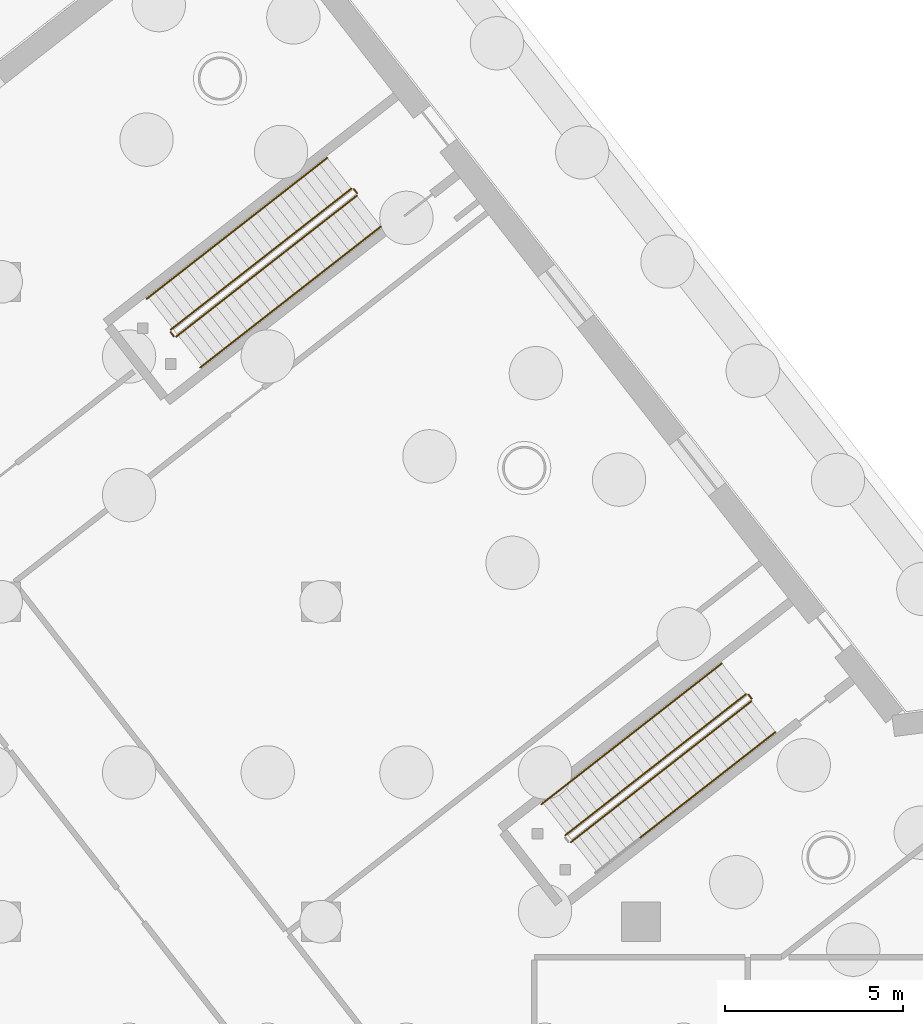
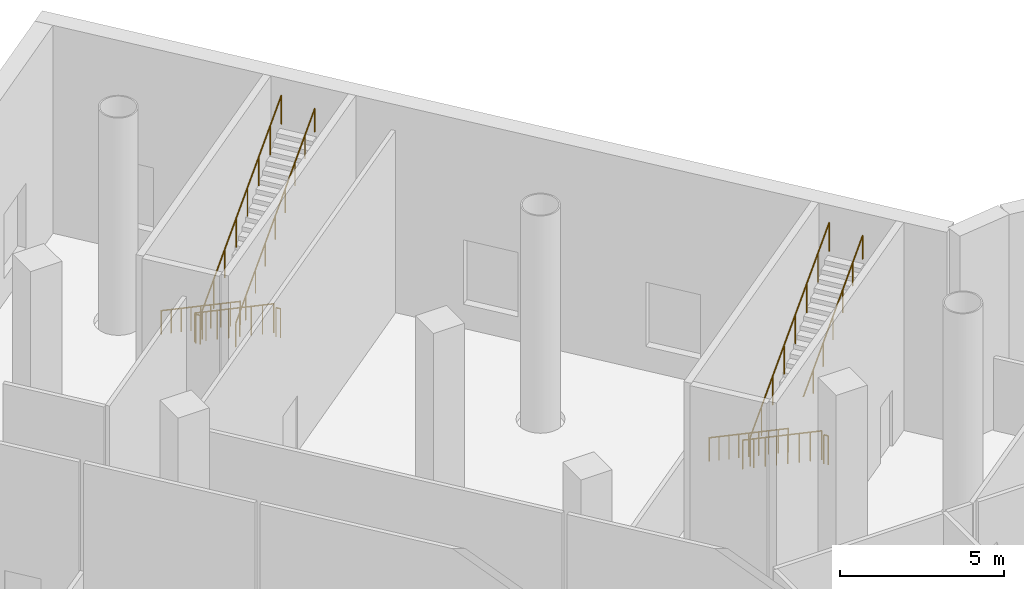
# One storey, part 32 of 34: 22 railings.
"""IFC4 building model written with IfcOpenShell, lengths in metres."""

from ifc_helpers import new_model, si_unit, direction, frame, origin, origin_2d, place, context, subcontext, project, spatial, circle, extrude, material, type_object, element, save


model = new_model("IFC4")

# Units and contexts
model_context = context("Model", 3, precision=1e-05, world=origin(), true_north=direction((0.0, 1.0)))
body_context = subcontext(model_context, "Body", "Model", "MODEL_VIEW")
ifc_project = project(units=[si_unit("LENGTHUNIT", "METRE"), si_unit("AREAUNIT", "SQUARE_METRE"), si_unit("VOLUMEUNIT", "CUBIC_METRE"), si_unit("PLANEANGLEUNIT", "RADIAN"), si_unit("MASSUNIT", "GRAM", prefix="KILO")], contexts=[model_context])

# Site, building, storey
site_placement = place(None, origin())
site = spatial("IfcSite", under=ifc_project, at=site_placement, CompositionType="ELEMENT")
building_placement = place(site_placement, origin())
building = spatial("IfcBuilding", under=site, at=building_placement, Name="Tarsis Ring Headquarters", CompositionType="ELEMENT")
storey_placement = place(building_placement, origin())
storey = spatial("IfcBuildingStorey", under=building, at=storey_placement, Name="L00", CompositionType="ELEMENT", Elevation=0.0)

# Railings
ifc_material = material(Name="Stainless steel", Category="steel")
railing_type_1 = type_object("IfcRailingType", Name="PO-RL-G", PredefinedType="GUARDRAIL", material=ifc_material)
railing_1_placement = place(storey_placement, frame((-6.04931640625, 33.3994140625, 0.166748046875)))
element("IfcRailing", 1, at=railing_1_placement, inside=storey, type_object=railing_type_1, Name="L00 PS3 stair guard 1", PredefinedType="GUARDRAIL", context=body_context, shape_type="SweptSolid", body=[
    extrude(circle(Radius=0.02392578125, at=origin_2d()), frame((0.0, 0.0, 1.076171875), z_axis=(-0.677376714953, -0.528734320496, 0.511469260434), x_axis=(0.615307054353, -0.788287529309, 0.0)), (0.0, 0.0, 1.0), 7.49462890625),
    extrude(circle(Radius=0.02099609375, at=origin_2d()), origin(), (0.0, 0.0, 1.0), 1.052001953125),
    extrude(circle(Radius=0.02099609375, at=origin_2d()), frame((-0.725341796875, -0.566162109375, 0.547607421875)), (0.0, 0.0, 1.0), 1.052001953125),
    extrude(circle(Radius=0.02099609375, at=origin_2d()), frame((-1.450439453125, -1.132080078125, 1.09521484375)), (0.0, 0.0, 1.0), 1.052001953125),
    extrude(circle(Radius=0.02099609375, at=origin_2d()), frame((-2.17578125, -1.6982421875, 1.642822265625)), (0.0, 0.0, 1.0), 1.052001953125),
    extrude(circle(Radius=0.02099609375, at=origin_2d()), frame((-2.90087890625, -2.264404296875, 2.1904296875)), (0.0, 0.0, 1.0), 1.052001953125),
    extrude(circle(Radius=0.02099609375, at=origin_2d()), frame((-3.626220703125, -2.83056640625, 2.738037109375)), (0.0, 0.0, 1.0), 1.052001953125),
    extrude(circle(Radius=0.02099609375, at=origin_2d()), frame((-4.351318359375, -3.396484375, 3.28564453125)), (0.0, 0.0, 1.0), 1.052001953125),
    extrude(circle(Radius=0.02099609375, at=origin_2d()), frame((-5.07666015625, -3.962646484375, 3.833251953125)), (0.0, 0.0, 1.0), 1.052001953125),
])
railing_2_placement = place(storey_placement, frame((-10.97216796875, 29.23974609375, 4.166748046875)))
element("IfcRailing", 2, at=railing_2_placement, inside=storey, type_object=railing_type_1, Name="L00 PS3 stair guard 3", PredefinedType="GUARDRAIL", context=body_context, shape_type="SweptSolid", body=[
    extrude(circle(Radius=0.02392578125, at=origin_2d()), frame((0.0, 0.0, 1.076171875), z_axis=(0.677376714953, 0.528734320496, 0.511469260434), x_axis=(-0.615307054353, 0.788287529309, 0.0)), (0.0, 0.0, 1.0), 7.49462890625),
    extrude(circle(Radius=0.02099609375, at=origin_2d()), origin(), (0.0, 0.0, 1.0), 1.052001953125),
    extrude(circle(Radius=0.02099609375, at=origin_2d()), frame((0.725341796875, 0.566162109375, 0.547607421875)), (0.0, 0.0, 1.0), 1.052001953125),
    extrude(circle(Radius=0.02099609375, at=origin_2d()), frame((1.450439453125, 1.132080078125, 1.09521484375)), (0.0, 0.0, 1.0), 1.052001953125),
    extrude(circle(Radius=0.02099609375, at=origin_2d()), frame((2.17578125, 1.6982421875, 1.642822265625)), (0.0, 0.0, 1.0), 1.052001953125),
    extrude(circle(Radius=0.02099609375, at=origin_2d()), frame((2.90087890625, 2.264404296875, 2.1904296875)), (0.0, 0.0, 1.0), 1.052001953125),
    extrude(circle(Radius=0.02099609375, at=origin_2d()), frame((3.626220703125, 2.83056640625, 2.738037109375)), (0.0, 0.0, 1.0), 1.052001953125),
    extrude(circle(Radius=0.02099609375, at=origin_2d()), frame((4.351318359375, 3.396484375, 3.28564453125)), (0.0, 0.0, 1.0), 1.052001953125),
    extrude(circle(Radius=0.02099609375, at=origin_2d()), frame((5.07666015625, 3.962646484375, 3.833251953125)), (0.0, 0.0, 1.0), 1.052001953125),
])
railing_3_placement = place(storey_placement, frame((-5.979248046875, 33.390869140625, 0.0)))
element("IfcRailing", 3, at=railing_3_placement, inside=storey, type_object=railing_type_1, Name="L00 PS3 stair guard 4", PredefinedType="GUARDRAIL", context=body_context, shape_type="SweptSolid", body=[
    extrude(circle(Radius=0.02392578125, at=origin_2d()), frame((0.0, 0.0, 1.076171875), z_axis=(0.615517636689, -0.788123111528, 0.0), x_axis=(0.788123111528, 0.615517636689, 0.0)), (0.0, 0.0, 1.0), 0.14990234375),
    extrude(circle(Radius=0.02099609375, at=origin_2d()), origin(), (0.0, 0.0, 1.0), 1.052001953125),
    extrude(circle(Radius=0.02099609375, at=origin_2d()), frame((0.09228515625, -0.1181640625, 0.0)), (0.0, 0.0, 1.0), 1.052001953125),
])
railing_4_placement = place(storey_placement, frame((-17.1494140625, 47.61962890625, 0.166748046875)))
element("IfcRailing", 4, at=railing_4_placement, inside=storey, type_object=railing_type_1, Name="L00 PS4 stair guard 1", PredefinedType="GUARDRAIL", context=body_context, shape_type="SweptSolid", body=[
    extrude(circle(Radius=0.02392578125, at=origin_2d()), frame((0.0, 0.0, 1.076171875), z_axis=(-0.67734741845, -0.528769455888, 0.511471736502), x_axis=(0.615348998057, -0.788254787864, 0.0)), (0.0, 0.0, 1.0), 7.49462890625),
    extrude(circle(Radius=0.02099609375, at=origin_2d()), origin(), (0.0, 0.0, 1.0), 1.052001953125),
    extrude(circle(Radius=0.02099609375, at=origin_2d()), frame((-0.72509765625, -0.566162109375, 0.547607421875)), (0.0, 0.0, 1.0), 1.052001953125),
    extrude(circle(Radius=0.02099609375, at=origin_2d()), frame((-1.450439453125, -1.13232421875, 1.09521484375)), (0.0, 0.0, 1.0), 1.052001953125),
    extrude(circle(Radius=0.02099609375, at=origin_2d()), frame((-2.175537109375, -1.698486328125, 1.642822265625)), (0.0, 0.0, 1.0), 1.052001953125),
    extrude(circle(Radius=0.02099609375, at=origin_2d()), frame((-2.90087890625, -2.264404296875, 2.1904296875)), (0.0, 0.0, 1.0), 1.052001953125),
    extrude(circle(Radius=0.02099609375, at=origin_2d()), frame((-3.6259765625, -2.83056640625, 2.738037109375)), (0.0, 0.0, 1.0), 1.052001953125),
    extrude(circle(Radius=0.02099609375, at=origin_2d()), frame((-4.351318359375, -3.396728515625, 3.28564453125)), (0.0, 0.0, 1.0), 1.052001953125),
    extrude(circle(Radius=0.02099609375, at=origin_2d()), frame((-5.076416015625, -3.962890625, 3.833251953125)), (0.0, 0.0, 1.0), 1.052001953125),
])
railing_5_placement = place(storey_placement, frame((-22.234619140625, 43.586669921875, 4.0)))
element("IfcRailing", 5, at=railing_5_placement, inside=storey, type_object=railing_type_1, Name="L00 PS4 stair guard 2", PredefinedType="GUARDRAIL", context=body_context, shape_type="SweptSolid", body=[
    extrude(circle(Radius=0.02392578125, at=origin_2d()), frame((0.0, 0.0, 1.076171875), z_axis=(0.615517636689, -0.788123111528, 0.0), x_axis=(0.788123111528, 0.615517636689, 0.0)), (0.0, 0.0, 1.0), 0.14990234375),
    extrude(circle(Radius=0.02099609375, at=origin_2d()), origin(), (0.0, 0.0, 1.0), 1.052001953125),
    extrude(circle(Radius=0.02099609375, at=origin_2d()), frame((0.09228515625, -0.1181640625, 0.0)), (0.0, 0.0, 1.0), 1.052001953125),
])
railing_6_placement = place(storey_placement, frame((-22.072021484375, 43.459716796875, 4.166748046875)))
element("IfcRailing", 6, at=railing_6_placement, inside=storey, type_object=railing_type_1, Name="L00 PS4 stair guard 3", PredefinedType="GUARDRAIL", context=body_context, shape_type="SweptSolid", body=[
    extrude(circle(Radius=0.02392578125, at=origin_2d()), frame((0.0, 0.0, 1.076171875), z_axis=(0.67735908574, 0.528745987623, 0.511480546588), x_axis=(-0.615325442255, 0.788273176071, 0.0)), (0.0, 0.0, 1.0), 7.494384765625),
    extrude(circle(Radius=0.02099609375, at=origin_2d()), origin(), (0.0, 0.0, 1.0), 1.052001953125),
    extrude(circle(Radius=0.02099609375, at=origin_2d()), frame((0.72509765625, 0.566162109375, 0.547607421875)), (0.0, 0.0, 1.0), 1.052001953125),
    extrude(circle(Radius=0.02099609375, at=origin_2d()), frame((1.450439453125, 1.132080078125, 1.09521484375)), (0.0, 0.0, 1.0), 1.052001953125),
    extrude(circle(Radius=0.02099609375, at=origin_2d()), frame((2.175537109375, 1.6982421875, 1.642822265625)), (0.0, 0.0, 1.0), 1.052001953125),
    extrude(circle(Radius=0.02099609375, at=origin_2d()), frame((2.90087890625, 2.264404296875, 2.1904296875)), (0.0, 0.0, 1.0), 1.052001953125),
    extrude(circle(Radius=0.02099609375, at=origin_2d()), frame((3.6259765625, 2.83056640625, 2.738037109375)), (0.0, 0.0, 1.0), 1.052001953125),
    extrude(circle(Radius=0.02099609375, at=origin_2d()), frame((4.351318359375, 3.396484375, 3.28564453125)), (0.0, 0.0, 1.0), 1.052001953125),
    extrude(circle(Radius=0.02099609375, at=origin_2d()), frame((5.076416015625, 3.962646484375, 3.833251953125)), (0.0, 0.0, 1.0), 1.052001953125),
])
railing_7_placement = place(storey_placement, frame((-17.0791015625, 47.61083984375, 0.0)))
element("IfcRailing", 7, at=railing_7_placement, inside=storey, type_object=railing_type_1, Name="L00 PS4 stair guard 4", PredefinedType="GUARDRAIL", context=body_context, shape_type="SweptSolid", body=[
    extrude(circle(Radius=0.02392578125, at=origin_2d()), frame((0.0, 0.0, 1.076171875), z_axis=(0.615517636689, -0.788123111528, 0.0), x_axis=(0.788123111528, 0.615517636689, 0.0)), (0.0, 0.0, 1.0), 0.14990234375),
    extrude(circle(Radius=0.02099609375, at=origin_2d()), origin(), (0.0, 0.0, 1.0), 1.052001953125),
    extrude(circle(Radius=0.02099609375, at=origin_2d()), frame((0.09228515625, -0.1181640625, 0.0)), (0.0, 0.0, 1.0), 1.052001953125),
])
railing_type_2 = type_object("IfcRailingType", Name="PO-RL-H", PredefinedType="HANDRAIL", material=ifc_material)
railing_8_placement = place(storey_placement, frame((-6.726318359375, 34.2666015625, 0.166748046875)))
element("IfcRailing", 8, at=railing_8_placement, inside=storey, type_object=railing_type_2, Name="L00 PS3 stair handrail 1", PredefinedType="HANDRAIL", context=body_context, shape_type="SweptSolid", body=[
    extrude(circle(Radius=0.02392578125, at=origin_2d()), frame((0.0, 0.0, 0.8759765625), z_axis=(-0.677341073658, -0.528789933995, 0.511458967701), x_axis=(0.61536738657, -0.788240432575, 0.0)), (0.0, 0.0, 1.0), 1.87353515625),
    extrude(circle(Radius=0.02099609375, at=origin_2d()), origin(), (0.0, 0.0, 1.0), 0.851806640625),
    extrude(circle(Radius=0.02099609375, at=origin_2d()), frame((-0.634521484375, -0.495361328125, 0.47900390625)), (0.0, 0.0, 1.0), 0.851806640625),
    extrude(circle(Radius=0.02099609375, at=origin_2d()), frame((-1.26904296875, -0.99072265625, 0.958251953125)), (0.0, 0.0, 1.0), 0.851806640625),
])
railing_9_placement = place(storey_placement, frame((-7.995361328125, 33.27587890625, 1.125)))
element("IfcRailing", 9, at=railing_9_placement, inside=storey, type_object=railing_type_2, Name="L00 PS3 stair handrail 1 bay 2", PredefinedType="HANDRAIL", context=body_context, shape_type="SweptSolid", body=[
    extrude(circle(Radius=0.02392578125, at=origin_2d()), frame((0.0, 0.0, 0.8759765625), z_axis=(-0.677341073658, -0.528789933995, 0.511458967701), x_axis=(0.61536738657, -0.788240432575, 0.0)), (0.0, 0.0, 1.0), 1.87353515625),
    extrude(circle(Radius=0.02099609375, at=origin_2d()), frame((-0.634521484375, -0.495361328125, 0.47900390625)), (0.0, 0.0, 1.0), 0.851806640625),
    extrude(circle(Radius=0.02099609375, at=origin_2d()), frame((-1.26904296875, -0.99072265625, 0.958251953125)), (0.0, 0.0, 1.0), 0.851806640625),
])
railing_10_placement = place(storey_placement, frame((-9.264404296875, 32.28515625, 2.083251953125)))
element("IfcRailing", 10, at=railing_10_placement, inside=storey, type_object=railing_type_2, Name="L00 PS3 stair handrail 1 bay 3", PredefinedType="HANDRAIL", context=body_context, shape_type="SweptSolid", body=[
    extrude(circle(Radius=0.02392578125, at=origin_2d()), frame((0.0, 0.0, 0.8759765625), z_axis=(-0.677413106279, -0.528614151216, 0.511545269331), x_axis=(0.61519960216, -0.788371390591, 0.0)), (0.0, 0.0, 1.0), 1.873779296875),
    extrude(circle(Radius=0.02099609375, at=origin_2d()), frame((-0.634765625, -0.4951171875, 0.479248046875)), (0.0, 0.0, 1.0), 0.851806640625),
    extrude(circle(Radius=0.02099609375, at=origin_2d()), frame((-1.269287109375, -0.990478515625, 0.95849609375)), (0.0, 0.0, 1.0), 0.851806640625),
])
railing_11_placement = place(storey_placement, frame((-10.53369140625, 31.294677734375, 3.041748046875)))
element("IfcRailing", 11, at=railing_11_placement, inside=storey, type_object=railing_type_2, Name="L00 PS3 stair handrail 1 bay 4", PredefinedType="HANDRAIL", context=body_context, shape_type="SweptSolid", body=[
    extrude(circle(Radius=0.02392578125, at=origin_2d()), frame((0.0, 0.0, 0.8759765625), z_axis=(-0.677341073658, -0.528789933995, 0.511458967701), x_axis=(0.61536738657, -0.788240432575, 0.0)), (0.0, 0.0, 1.0), 1.87353515625),
    extrude(circle(Radius=0.02099609375, at=origin_2d()), frame((-0.634521484375, -0.495361328125, 0.47900390625)), (0.0, 0.0, 1.0), 0.851806640625),
    extrude(circle(Radius=0.02099609375, at=origin_2d()), frame((-1.26904296875, -0.99072265625, 0.958251953125)), (0.0, 0.0, 1.0), 0.851806640625),
])
railing_12_placement = place(storey_placement, frame((-9.026123046875, 29.36328125, 5.125)))
element("IfcRailing", 12, at=railing_12_placement, inside=storey, type_object=railing_type_2, Name="L00 PS3 stair handrail 2 bay 2", PredefinedType="HANDRAIL", context=body_context, shape_type="SweptSolid", body=[
    extrude(circle(Radius=0.02392578125, at=origin_2d()), frame((0.0, 0.0, 0.8759765625), z_axis=(0.677341073658, 0.528789933995, 0.511458967701), x_axis=(-0.61536738657, 0.788240432575, 0.0)), (0.0, 0.0, 1.0), 1.87353515625),
    extrude(circle(Radius=0.02099609375, at=origin_2d()), frame((0.634521484375, 0.495361328125, 0.47900390625)), (0.0, 0.0, 1.0), 0.851806640625),
    extrude(circle(Radius=0.02099609375, at=origin_2d()), frame((1.26904296875, 0.99072265625, 0.958251953125)), (0.0, 0.0, 1.0), 0.851806640625),
])
railing_13_placement = place(storey_placement, frame((-7.757080078125, 30.35400390625, 6.083251953125)))
element("IfcRailing", 13, at=railing_13_placement, inside=storey, type_object=railing_type_2, Name="L00 PS3 stair handrail 2 bay 3", PredefinedType="HANDRAIL", context=body_context, shape_type="SweptSolid", body=[
    extrude(circle(Radius=0.02392578125, at=origin_2d()), frame((0.0, 0.0, 0.8759765625), z_axis=(0.677366447346, 0.528708029107, 0.51151003506), x_axis=(-0.615293837104, 0.788297846009, 0.0)), (0.0, 0.0, 1.0), 1.873779296875),
    extrude(circle(Radius=0.02099609375, at=origin_2d()), frame((0.634765625, 0.495361328125, 0.479248046875)), (0.0, 0.0, 1.0), 0.851806640625),
    extrude(circle(Radius=0.02099609375, at=origin_2d()), frame((1.269287109375, 0.99072265625, 0.95849609375)), (0.0, 0.0, 1.0), 0.851806640625),
])
railing_14_placement = place(storey_placement, frame((-6.48779296875, 31.3447265625, 7.041748046875)))
element("IfcRailing", 14, at=railing_14_placement, inside=storey, type_object=railing_type_2, Name="L00 PS3 stair handrail 2 bay 4", PredefinedType="HANDRAIL", context=body_context, shape_type="SweptSolid", body=[
    extrude(circle(Radius=0.02392578125, at=origin_2d()), frame((0.0, 0.0, 0.8759765625), z_axis=(0.677341073658, 0.528789933995, 0.511458967701), x_axis=(-0.61536738657, 0.788240432575, 0.0)), (0.0, 0.0, 1.0), 1.87353515625),
    extrude(circle(Radius=0.02099609375, at=origin_2d()), frame((0.634521484375, 0.495361328125, 0.47900390625)), (0.0, 0.0, 1.0), 0.851806640625),
    extrude(circle(Radius=0.02099609375, at=origin_2d()), frame((1.26904296875, 0.99072265625, 0.958251953125)), (0.0, 0.0, 1.0), 0.851806640625),
])
railing_15_placement = place(storey_placement, frame((-17.826171875, 48.486572265625, 0.166748046875)))
element("IfcRailing", 15, at=railing_15_placement, inside=storey, type_object=railing_type_2, Name="L00 PS4 stair handrail 1", PredefinedType="HANDRAIL", context=body_context, shape_type="SweptSolid", body=[
    extrude(circle(Radius=0.02392578125, at=origin_2d()), frame((0.0, 0.0, 0.8759765625), z_axis=(-0.677411588203, -0.528743263113, 0.511413826447), x_axis=(0.615293837104, -0.788297846009, 0.0)), (0.0, 0.0, 1.0), 1.873779296875),
    extrude(circle(Radius=0.02099609375, at=origin_2d()), origin(), (0.0, 0.0, 1.0), 0.851806640625),
    extrude(circle(Radius=0.02099609375, at=origin_2d()), frame((-0.634765625, -0.495361328125, 0.47900390625)), (0.0, 0.0, 1.0), 0.851806640625),
    extrude(circle(Radius=0.02099609375, at=origin_2d()), frame((-1.269287109375, -0.99072265625, 0.958251953125)), (0.0, 0.0, 1.0), 0.851806640625),
])
railing_16_placement = place(storey_placement, frame((-19.095458984375, 47.495849609375, 1.125)))
element("IfcRailing", 16, at=railing_16_placement, inside=storey, type_object=railing_type_2, Name="L00 PS4 stair handrail 1 bay 2", PredefinedType="HANDRAIL", context=body_context, shape_type="SweptSolid", body=[
    extrude(circle(Radius=0.02392578125, at=origin_2d()), frame((0.0, 0.0, 0.8759765625), z_axis=(-0.677387745302, -0.528696052845, 0.511494209371), x_axis=(0.615273154086, -0.788313989386, 0.0)), (0.0, 0.0, 1.0), 1.87353515625),
    extrude(circle(Radius=0.02099609375, at=origin_2d()), frame((-0.634521484375, -0.4951171875, 0.47900390625)), (0.0, 0.0, 1.0), 0.851806640625),
    extrude(circle(Radius=0.02099609375, at=origin_2d()), frame((-1.26904296875, -0.990478515625, 0.958251953125)), (0.0, 0.0, 1.0), 0.851806640625),
])
railing_17_placement = place(storey_placement, frame((-20.364501953125, 46.50537109375, 2.083251953125)))
element("IfcRailing", 17, at=railing_17_placement, inside=storey, type_object=railing_type_2, Name="L00 PS4 stair handrail 1 bay 3", PredefinedType="HANDRAIL", context=body_context, shape_type="SweptSolid", body=[
    extrude(circle(Radius=0.02392578125, at=origin_2d()), frame((0.0, 0.0, 0.8759765625), z_axis=(-0.677295929532, -0.528754690658, 0.511555178789), x_axis=(0.61536738657, -0.788240432575, 0.0)), (0.0, 0.0, 1.0), 1.873779296875),
    extrude(circle(Radius=0.02099609375, at=origin_2d()), frame((-0.634521484375, -0.495361328125, 0.479248046875)), (0.0, 0.0, 1.0), 0.851806640625),
    extrude(circle(Radius=0.02099609375, at=origin_2d()), frame((-1.26904296875, -0.99072265625, 0.95849609375)), (0.0, 0.0, 1.0), 0.851806640625),
])
railing_18_placement = place(storey_placement, frame((-21.633544921875, 45.5146484375, 3.041748046875)))
element("IfcRailing", 18, at=railing_18_placement, inside=storey, type_object=railing_type_2, Name="L00 PS4 stair handrail 1 bay 4", PredefinedType="HANDRAIL", context=body_context, shape_type="SweptSolid", body=[
    extrude(circle(Radius=0.02392578125, at=origin_2d()), frame((0.0, 0.0, 0.8759765625), z_axis=(-0.677411588203, -0.528743263113, 0.511413826447), x_axis=(0.615293837104, -0.788297846009, 0.0)), (0.0, 0.0, 1.0), 1.873779296875),
    extrude(circle(Radius=0.02099609375, at=origin_2d()), frame((-0.634765625, -0.495361328125, 0.47900390625)), (0.0, 0.0, 1.0), 0.851806640625),
    extrude(circle(Radius=0.02099609375, at=origin_2d()), frame((-1.269287109375, -0.99072265625, 0.958251953125)), (0.0, 0.0, 1.0), 0.851806640625),
])
railing_19_placement = place(storey_placement, frame((-21.395263671875, 42.5927734375, 4.166748046875)))
element("IfcRailing", 19, at=railing_19_placement, inside=storey, type_object=railing_type_2, Name="L00 PS4 stair handrail 2", PredefinedType="HANDRAIL", context=body_context, shape_type="SweptSolid", body=[
    extrude(circle(Radius=0.02392578125, at=origin_2d()), frame((0.0, 0.0, 0.8759765625), z_axis=(0.677458256466, 0.52864938382, 0.511449058786), x_axis=(-0.61519960216, 0.788371390591, 0.0)), (0.0, 0.0, 1.0), 1.87353515625),
    extrude(circle(Radius=0.02099609375, at=origin_2d()), origin(), (0.0, 0.0, 1.0), 0.851806640625),
    extrude(circle(Radius=0.02099609375, at=origin_2d()), frame((0.634765625, 0.4951171875, 0.47900390625)), (0.0, 0.0, 1.0), 0.851806640625),
    extrude(circle(Radius=0.02099609375, at=origin_2d()), frame((1.269287109375, 0.990478515625, 0.958251953125)), (0.0, 0.0, 1.0), 0.851806640625),
])
railing_20_placement = place(storey_placement, frame((-20.1259765625, 43.583251953125, 5.125)))
element("IfcRailing", 20, at=railing_20_placement, inside=storey, type_object=railing_type_2, Name="L00 PS4 stair handrail 2 bay 2", PredefinedType="HANDRAIL", context=body_context, shape_type="SweptSolid", body=[
    extrude(circle(Radius=0.02392578125, at=origin_2d()), frame((0.0, 0.0, 0.8759765625), z_axis=(0.677341073658, 0.528789933995, 0.511458967701), x_axis=(-0.61536738657, 0.788240432575, 0.0)), (0.0, 0.0, 1.0), 1.87353515625),
    extrude(circle(Radius=0.02099609375, at=origin_2d()), frame((0.634521484375, 0.495361328125, 0.47900390625)), (0.0, 0.0, 1.0), 0.851806640625),
    extrude(circle(Radius=0.02099609375, at=origin_2d()), frame((1.26904296875, 0.99072265625, 0.958251953125)), (0.0, 0.0, 1.0), 0.851806640625),
])
railing_21_placement = place(storey_placement, frame((-18.85693359375, 44.573974609375, 6.083251953125)))
element("IfcRailing", 21, at=railing_21_placement, inside=storey, type_object=railing_type_2, Name="L00 PS4 stair handrail 2 bay 3", PredefinedType="HANDRAIL", context=body_context, shape_type="SweptSolid", body=[
    extrude(circle(Radius=0.02392578125, at=origin_2d()), frame((0.0, 0.0, 0.8759765625), z_axis=(0.677295929532, 0.528754690658, 0.511555178789), x_axis=(-0.61536738657, 0.788240432575, 0.0)), (0.0, 0.0, 1.0), 1.873779296875),
    extrude(circle(Radius=0.02099609375, at=origin_2d()), frame((0.634521484375, 0.495361328125, 0.479248046875)), (0.0, 0.0, 1.0), 0.851806640625),
    extrude(circle(Radius=0.02099609375, at=origin_2d()), frame((1.26904296875, 0.99072265625, 0.95849609375)), (0.0, 0.0, 1.0), 0.851806640625),
])
railing_22_placement = place(storey_placement, frame((-17.587890625, 45.564697265625, 7.041748046875)))
element("IfcRailing", 22, at=railing_22_placement, inside=storey, type_object=railing_type_2, Name="L00 PS4 stair handrail 2 bay 4", PredefinedType="HANDRAIL", context=body_context, shape_type="SweptSolid", body=[
    extrude(circle(Radius=0.02392578125, at=origin_2d()), frame((0.0, 0.0, 0.8759765625), z_axis=(0.677411588203, 0.528743263113, 0.511413826447), x_axis=(-0.615293837104, 0.788297846009, 0.0)), (0.0, 0.0, 1.0), 1.873779296875),
    extrude(circle(Radius=0.02099609375, at=origin_2d()), frame((0.634765625, 0.495361328125, 0.47900390625)), (0.0, 0.0, 1.0), 0.851806640625),
    extrude(circle(Radius=0.02099609375, at=origin_2d()), frame((1.269287109375, 0.99072265625, 0.958251953125)), (0.0, 0.0, 1.0), 0.851806640625),
])

save(model, "model.ifc")
